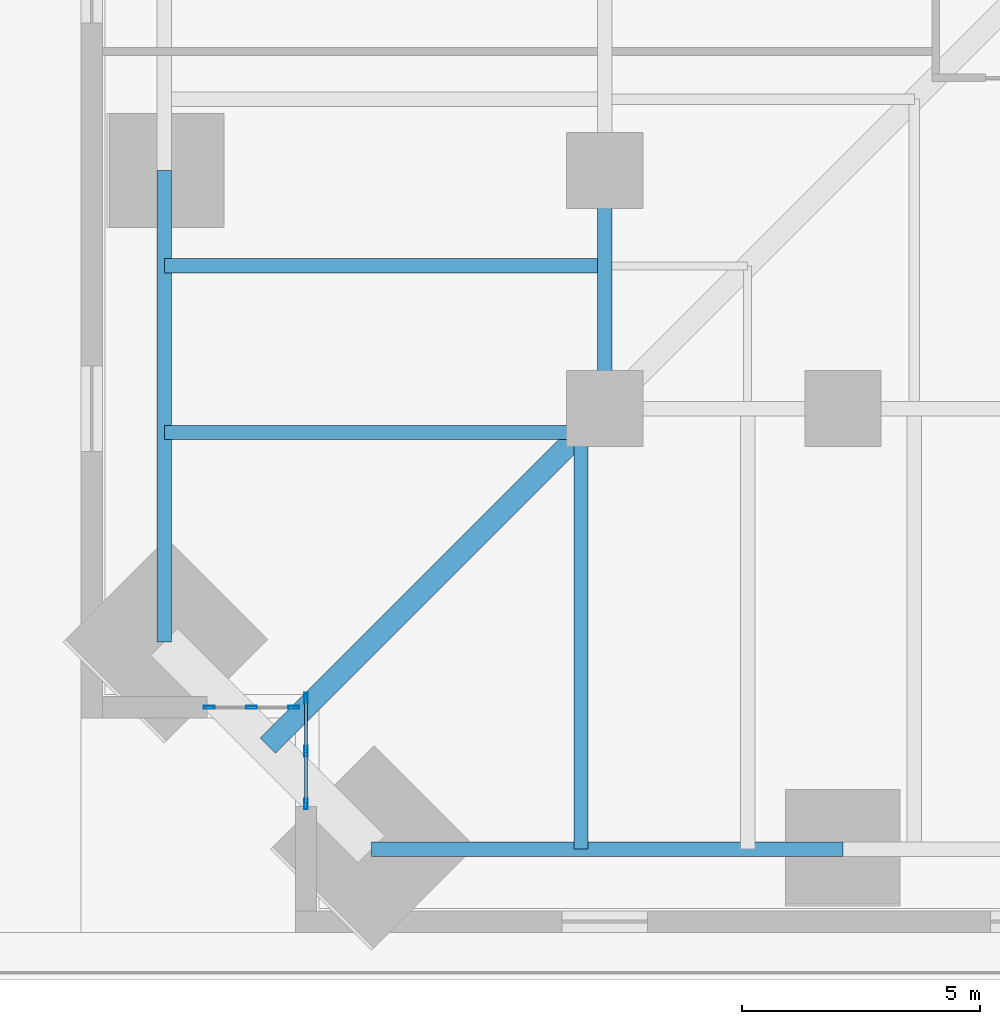
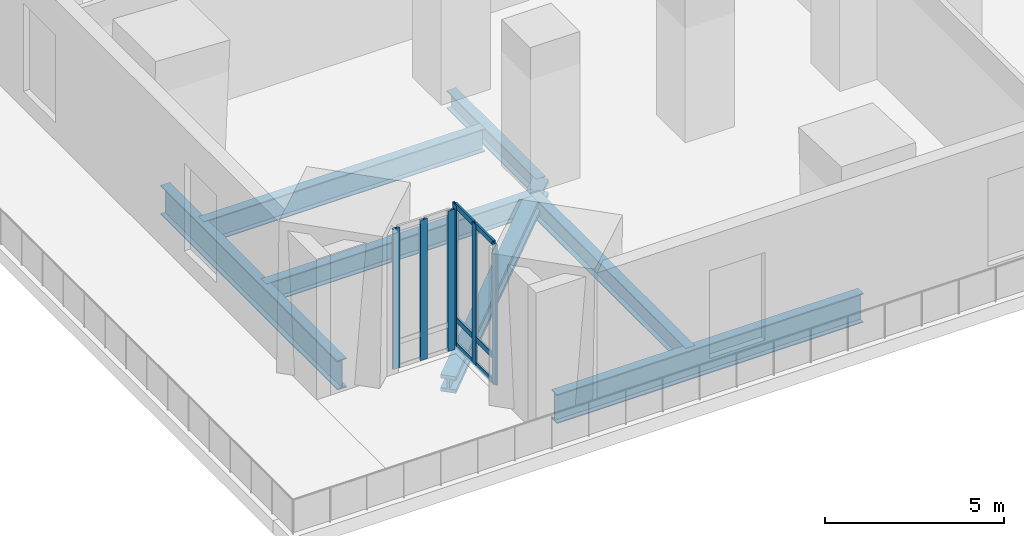
# One storey, part 2 of 26: 12 members, 7 beams, 2 elements without a shape of their own.
"""IFC4 building model written with IfcOpenShell, lengths in metres."""

from ifc_helpers import new_model, si_unit, direction, frame, origin, origin_2d, place, context, subcontext, project, spatial, hollow_rectangle, i_section, extrude, material, material_profile, profile_set, type_object, element, aggregate, save


model = new_model("IFC4")

# Units and contexts
model_context = context("Model", 3, precision=1e-05, world=origin(), true_north=direction((0.0, 1.0)))
body_context = subcontext(model_context, "Body", "Model", "MODEL_VIEW")
ifc_project = project(units=[si_unit("LENGTHUNIT", "METRE"), si_unit("AREAUNIT", "SQUARE_METRE"), si_unit("VOLUMEUNIT", "CUBIC_METRE"), si_unit("PLANEANGLEUNIT", "RADIAN"), si_unit("MASSUNIT", "GRAM", prefix="KILO")], contexts=[model_context])

# Site, building, storey
site_placement = place(None, origin())
site = spatial("IfcSite", under=ifc_project, at=site_placement, CompositionType="ELEMENT")
building_placement = place(site_placement, origin())
building = spatial("IfcBuilding", under=site, at=building_placement, Name="Peilmerk Tower", CompositionType="ELEMENT")
storey_placement = place(building_placement, frame((0.0, 0.0, 16.0)))
storey = spatial("IfcBuildingStorey", under=building, at=storey_placement, Name="L03", CompositionType="ELEMENT", Elevation=16.0)

# Beams
ifc_material_1 = material(Name="Steel S355", Category="steel")
ifc_material_profile_1 = material_profile(ifc_material_1, i_section(OverallWidth=0.300048828125, OverallDepth=1.0, WebThickness=0.01904296875, FlangeThickness=0.035888671875, at=origin_2d()), Name="HEB 1000")
ifc_profile_set_1 = profile_set([ifc_material_profile_1], Name="Steel S355")
beam_type_1 = type_object("IfcBeamType", Name="B13 HEB 1000 edge beam", PredefinedType="SPANDREL", material=ifc_profile_set_1)
for number, where, z_axis, x_axis, name in (
    (1, (-25.901611328125, -30.251708984375, -0.699951171875), (1.0, 0.0, 0.0), (0.0, 1.0, 0.0), "Edge beam L03"),
    (2, (-30.251708984375, -16.0, -0.699951171875), (0.0, -1.0, 0.0), (1.0, 0.0, 0.0), "Edge beam L03"),
):
    element("IfcBeam", number, at=place(storey_placement, frame(where, z_axis=z_axis, x_axis=x_axis)), inside=storey, type_object=beam_type_1, Name=name, PredefinedType="SPANDREL", context=body_context, shape_type="SweptSolid", body=[
        extrude(i_section(OverallWidth=0.300048828125, OverallDepth=1.0, WebThickness=0.01904296875, FlangeThickness=0.035888671875, at=origin_2d()), origin(), (0.0, 0.0, 1.0), 9.901611328125),
    ])
ifc_material_profile_2 = material_profile(ifc_material_1, i_section(OverallWidth=0.300048828125, OverallDepth=0.68994140625, WebThickness=0.014404296875, FlangeThickness=0.027099609375, at=origin_2d()), Name="HEA 700")
ifc_profile_set_2 = profile_set([ifc_material_profile_2], Name="Steel S355")
beam_type_2 = type_object("IfcBeamType", Name="B16 HEA 700 floor beam", PredefinedType="BEAM", material=ifc_profile_set_2)
for number, where, z_axis, x_axis, name in (
    (3, (-21.5, -21.5, -0.544921875), (0.0, -1.0, 0.0), (1.0, 0.0, 0.0), "Floor beam L03"),
    (4, (-21.5, -21.5, -0.544921875), (-1.0, 0.0, 0.0), (0.0, -1.0, 0.0), "Floor beam L03"),
):
    element("IfcBeam", number, at=place(storey_placement, frame(where, z_axis=z_axis, x_axis=x_axis)), inside=storey, type_object=beam_type_2, Name=name, PredefinedType="BEAM", context=body_context, shape_type="SweptSolid", body=[
        extrude(i_section(OverallWidth=0.300048828125, OverallDepth=0.68994140625, WebThickness=0.014404296875, FlangeThickness=0.027099609375, at=origin_2d()), origin(), (0.0, 0.0, 1.0), 8.751708984375),
    ])
ifc_material_profile_3 = material_profile(ifc_material_1, i_section(OverallWidth=0.300048828125, OverallDepth=0.7900390625, WebThickness=0.014892578125, FlangeThickness=0.028076171875, at=origin_2d()), Name="HEA 800")
ifc_profile_set_3 = profile_set([ifc_material_profile_3], Name="Steel S355")
beam_type_3 = type_object("IfcBeamType", Name="B3 HEA 800 floor beam", PredefinedType="BEAM", material=ifc_profile_set_3)
beam_1_placement = place(storey_placement, frame((-21.152587890625, -18.0, -0.594970703125), z_axis=(-1.0, 0.0, 0.0), x_axis=(0.0, -1.0, 0.0)))
element("IfcBeam", 5, at=beam_1_placement, inside=storey, type_object=beam_type_3, Name="Floor beam L03", PredefinedType="BEAM", context=body_context, shape_type="SweptSolid", body=[
    extrude(i_section(OverallWidth=0.300048828125, OverallDepth=0.7900390625, WebThickness=0.014892578125, FlangeThickness=0.028076171875, at=origin_2d()), origin(), (0.0, 0.0, 1.0), 9.09912109375),
])
ifc_material_profile_4 = material_profile(ifc_material_1, i_section(OverallWidth=0.304931640625, OverallDepth=0.6201171875, WebThickness=0.02099609375, FlangeThickness=0.0400390625, at=origin_2d()), Name="HEM 600")
ifc_profile_set_4 = profile_set([ifc_material_profile_4], Name="Steel S355")
beam_type_4 = type_object("IfcBeamType", Name="B6 HEM 600 ring girder", PredefinedType="BEAM", material=ifc_profile_set_4)
beam_2_placement = place(storey_placement, frame((-21.0, -16.0, -0.510009765625), z_axis=(0.0, -1.0, 0.0), x_axis=(1.0, 0.0, 0.0)))
element("IfcBeam", 6, at=beam_2_placement, inside=storey, type_object=beam_type_4, Name="Ring girder L03", PredefinedType="BEAM", context=body_context, shape_type="SweptSolid", body=[
    extrude(i_section(OverallWidth=0.304931640625, OverallDepth=0.6201171875, WebThickness=0.02099609375, FlangeThickness=0.0400390625, at=origin_2d()), origin(), (0.0, 0.0, 1.0), 5.0),
])
ifc_material_2 = material(Name="Steel S460", Category="steel")
ifc_material_profile_5 = material_profile(ifc_material_2, i_section(OverallWidth=0.4541015625, OverallDepth=0.569091796875, WebThickness=0.077880859375, FlangeThickness=0.125, at=origin_2d()), Name="HD 400x1086")
ifc_profile_set_5 = profile_set([ifc_material_profile_5], Name="Steel S460")
beam_type_5 = type_object("IfcBeamType", Name="B9 HD 400x1086 corner girder", PredefinedType="BEAM", material=ifc_profile_set_5)
beam_3_placement = place(storey_placement, frame((-21.0, -21.0, -0.484619140625), z_axis=(-0.707106781187, -0.707106781187, 0.0), x_axis=(0.707106781187, -0.707106781187, 0.0)))
element("IfcBeam", 7, at=beam_3_placement, inside=storey, type_object=beam_type_5, Name="Corner girder L03", PredefinedType="BEAM", context=body_context, shape_type="SweptSolid", body=[
    extrude(i_section(OverallWidth=0.4541015625, OverallDepth=0.569091796875, WebThickness=0.077880859375, FlangeThickness=0.125, at=origin_2d()), origin(), (0.0, 0.0, 1.0), 10.0078125),
])

# Curtain wall, members
ifc_material_3 = material(Name="Aluminium stick curtain wall", Category="aluminium")
curtain_wall_type = type_object("IfcCurtainWallType", Name="CW1 stick curtain wall, 1500 module", PredefinedType="NOTDEFINED", material=ifc_material_3)
curtain_wall_1_placement = place(storey_placement, origin())
curtain_wall_1 = element("IfcCurtainWall", 8, at=curtain_wall_1_placement, inside=storey, type_object=curtain_wall_type, Name="Curtain wall CW1 SWA L03", PredefinedType="NOTDEFINED")
ifc_material_4 = material(Name="Aluminium EN AW-6063 T6", Category="aluminium")
ifc_material_profile_6 = material_profile(ifc_material_4, hollow_rectangle(XDim=0.06494140625, YDim=0.22509765625, WallThickness=0.00390625, at=origin_2d()), Name="AL 225x65x4")
ifc_profile_set_6 = profile_set([ifc_material_profile_6], Name="Aluminium EN AW-6063 T6")
member_type_1 = type_object("IfcMemberType", Name="CW1-M AL 225x65x4 mullion", PredefinedType="MULLION", material=ifc_profile_set_6)
member_1_placement = place(storey_placement, frame((-27.27490234375, -27.08251953125, 0.0), z_axis=(0.0, 0.0, 1.0), x_axis=(1.0, 0.0, 0.0)))
member_1 = element("IfcMember", 9, at=member_1_placement, type_object=member_type_1, Name="CW1 mullion 1", PredefinedType="MULLION", context=body_context, shape_type="SweptSolid", body=[
    extrude(hollow_rectangle(XDim=0.06494140625, YDim=0.22509765625, WallThickness=0.00390625, at=origin_2d()), origin(), (0.0, 0.0, 1.0), 4.800048828125),
])
member_2_placement = place(storey_placement, frame((-27.27490234375, -28.1943359375, 0.0), z_axis=(0.0, 0.0, 1.0), x_axis=(1.0, 0.0, 0.0)))
member_2 = element("IfcMember", 10, at=member_2_placement, type_object=member_type_1, Name="CW1 mullion 2", PredefinedType="MULLION", context=body_context, shape_type="SweptSolid", body=[
    extrude(hollow_rectangle(XDim=0.06494140625, YDim=0.22509765625, WallThickness=0.00390625, at=origin_2d()), origin(), (0.0, 0.0, 1.0), 4.800048828125),
])
member_3_placement = place(storey_placement, frame((-27.27490234375, -29.30615234375, 0.0), z_axis=(0.0, 0.0, 1.0), x_axis=(1.0, 0.0, 0.0)))
member_3 = element("IfcMember", 11, at=member_3_placement, type_object=member_type_1, Name="CW1 mullion 3", PredefinedType="MULLION", context=body_context, shape_type="SweptSolid", body=[
    extrude(hollow_rectangle(XDim=0.06494140625, YDim=0.22509765625, WallThickness=0.00390625, at=origin_2d()), origin(), (0.0, 0.0, 1.0), 4.800048828125),
])

curtain_wall_2_placement = place(storey_placement, origin())
curtain_wall_2 = element("IfcCurtainWall", 12, at=curtain_wall_2_placement, inside=storey, type_object=curtain_wall_type, Name="Curtain wall CW1 SWB L03", PredefinedType="NOTDEFINED")
member_4_placement = place(storey_placement, frame((-27.532470703125, -27.27490234375, 0.0), z_axis=(0.0, 0.0, 1.0), x_axis=(0.0, -1.0, 0.0)))
member_4 = element("IfcMember", 13, at=member_4_placement, type_object=member_type_1, Name="CW1 mullion 1", PredefinedType="MULLION", context=body_context, shape_type="SweptSolid", body=[
    extrude(hollow_rectangle(XDim=0.06494140625, YDim=0.22509765625, WallThickness=0.00390625, at=origin_2d()), origin(), (0.0, 0.0, 1.0), 4.800048828125),
])
member_5_placement = place(storey_placement, frame((-28.41943359375, -27.27490234375, 0.0), z_axis=(0.0, 0.0, 1.0), x_axis=(0.0, -1.0, 0.0)))
member_5 = element("IfcMember", 14, at=member_5_placement, type_object=member_type_1, Name="CW1 mullion 2", PredefinedType="MULLION", context=body_context, shape_type="SweptSolid", body=[
    extrude(hollow_rectangle(XDim=0.06494140625, YDim=0.22509765625, WallThickness=0.00390625, at=origin_2d()), origin(), (0.0, 0.0, 1.0), 4.800048828125),
])
member_6_placement = place(storey_placement, frame((-29.30615234375, -27.27490234375, 0.0), z_axis=(0.0, 0.0, 1.0), x_axis=(0.0, -1.0, 0.0)))
member_6 = element("IfcMember", 15, at=member_6_placement, type_object=member_type_1, Name="CW1 mullion 3", PredefinedType="MULLION", context=body_context, shape_type="SweptSolid", body=[
    extrude(hollow_rectangle(XDim=0.06494140625, YDim=0.22509765625, WallThickness=0.00390625, at=origin_2d()), origin(), (0.0, 0.0, 1.0), 4.800048828125),
])
aggregate(curtain_wall_2, [member_4, member_5, member_6])

# Member
ifc_material_profile_7 = material_profile(ifc_material_4, hollow_rectangle(XDim=0.06494140625, YDim=0.179931640625, WallThickness=0.0029296875, at=origin_2d()), Name="AL 180x65x3")
ifc_profile_set_7 = profile_set([ifc_material_profile_7], Name="Aluminium EN AW-6063 T6")
member_type_2 = type_object("IfcMemberType", Name="CW1-T AL 180x65x3 transom", PredefinedType="USERDEFINED", material=ifc_profile_set_7)
member_7_placement = place(storey_placement, frame((-27.27490234375, -27.114990234375, 0.032470703125), z_axis=(0.0, -1.0, 0.0), x_axis=(1.0, 0.0, 0.0)))
member_7 = element("IfcMember", 16, at=member_7_placement, type_object=member_type_2, Name="CW1 transom 1.1", ObjectType="TRANSOM", PredefinedType="USERDEFINED", context=body_context, shape_type="SweptSolid", body=[
    extrude(hollow_rectangle(XDim=0.06494140625, YDim=0.179931640625, WallThickness=0.0029296875, at=origin_2d()), origin(), (0.0, 0.0, 1.0), 1.046875),
])

member_8_placement = place(storey_placement, frame((-27.27490234375, -27.114990234375, 0.89990234375), z_axis=(0.0, -1.0, 0.0), x_axis=(1.0, 0.0, 0.0)))
member_8 = element("IfcMember", 17, at=member_8_placement, type_object=member_type_2, Name="CW1 transom 1.2", ObjectType="TRANSOM", PredefinedType="USERDEFINED", context=body_context, shape_type="SweptSolid", body=[
    extrude(hollow_rectangle(XDim=0.06494140625, YDim=0.179931640625, WallThickness=0.0029296875, at=origin_2d()), origin(), (0.0, 0.0, 1.0), 1.046875),
])

member_9_placement = place(storey_placement, frame((-27.27490234375, -27.114990234375, 4.767578125), z_axis=(0.0, -1.0, 0.0), x_axis=(1.0, 0.0, 0.0)))
member_9 = element("IfcMember", 18, at=member_9_placement, type_object=member_type_2, Name="CW1 transom 1.3", ObjectType="TRANSOM", PredefinedType="USERDEFINED", context=body_context, shape_type="SweptSolid", body=[
    extrude(hollow_rectangle(XDim=0.06494140625, YDim=0.179931640625, WallThickness=0.0029296875, at=origin_2d()), origin(), (0.0, 0.0, 1.0), 1.046875),
])

member_10_placement = place(storey_placement, frame((-27.27490234375, -28.226806640625, 0.032470703125), z_axis=(0.0, -1.0, 0.0), x_axis=(1.0, 0.0, 0.0)))
member_10 = element("IfcMember", 19, at=member_10_placement, type_object=member_type_2, Name="CW1 transom 2.1", ObjectType="TRANSOM", PredefinedType="USERDEFINED", context=body_context, shape_type="SweptSolid", body=[
    extrude(hollow_rectangle(XDim=0.06494140625, YDim=0.179931640625, WallThickness=0.0029296875, at=origin_2d()), origin(), (0.0, 0.0, 1.0), 1.046875),
])

member_11_placement = place(storey_placement, frame((-27.27490234375, -28.226806640625, 0.89990234375), z_axis=(0.0, -1.0, 0.0), x_axis=(1.0, 0.0, 0.0)))
member_11 = element("IfcMember", 20, at=member_11_placement, type_object=member_type_2, Name="CW1 transom 2.2", ObjectType="TRANSOM", PredefinedType="USERDEFINED", context=body_context, shape_type="SweptSolid", body=[
    extrude(hollow_rectangle(XDim=0.06494140625, YDim=0.179931640625, WallThickness=0.0029296875, at=origin_2d()), origin(), (0.0, 0.0, 1.0), 1.046875),
])

member_12_placement = place(storey_placement, frame((-27.27490234375, -28.226806640625, 4.767578125), z_axis=(0.0, -1.0, 0.0), x_axis=(1.0, 0.0, 0.0)))
member_12 = element("IfcMember", 21, at=member_12_placement, type_object=member_type_2, Name="CW1 transom 2.3", ObjectType="TRANSOM", PredefinedType="USERDEFINED", context=body_context, shape_type="SweptSolid", body=[
    extrude(hollow_rectangle(XDim=0.06494140625, YDim=0.179931640625, WallThickness=0.0029296875, at=origin_2d()), origin(), (0.0, 0.0, 1.0), 1.046875),
])

aggregate(curtain_wall_1, [member_1, member_2, member_3, member_7, member_8, member_9, member_10, member_11, member_12])

save(model, "model.ifc")
